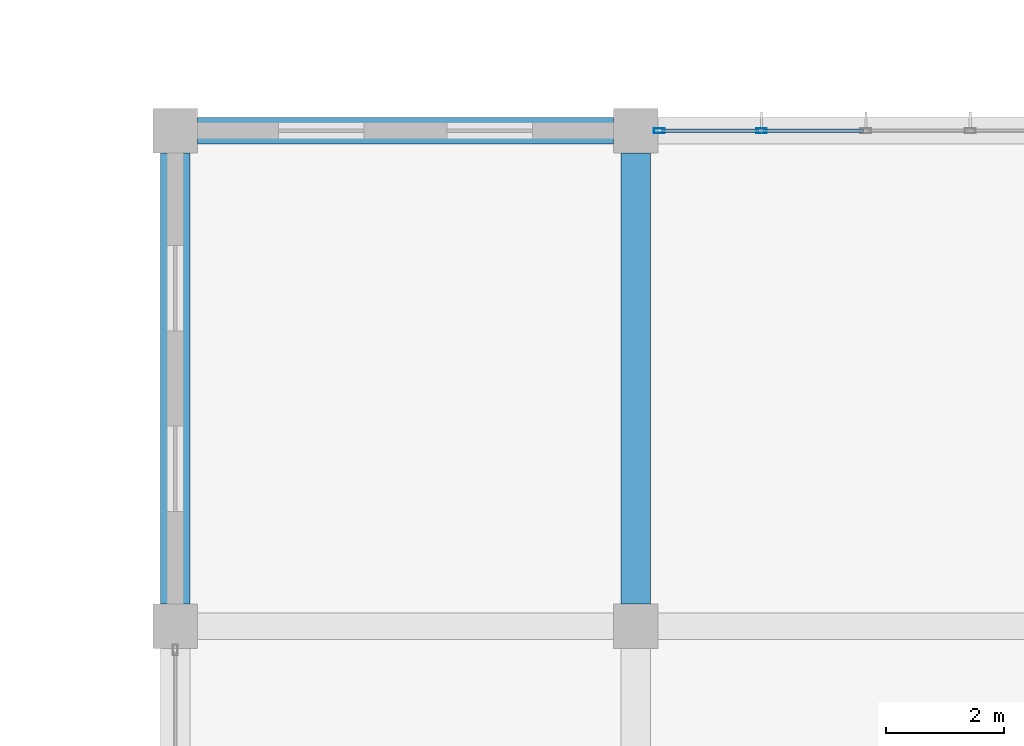
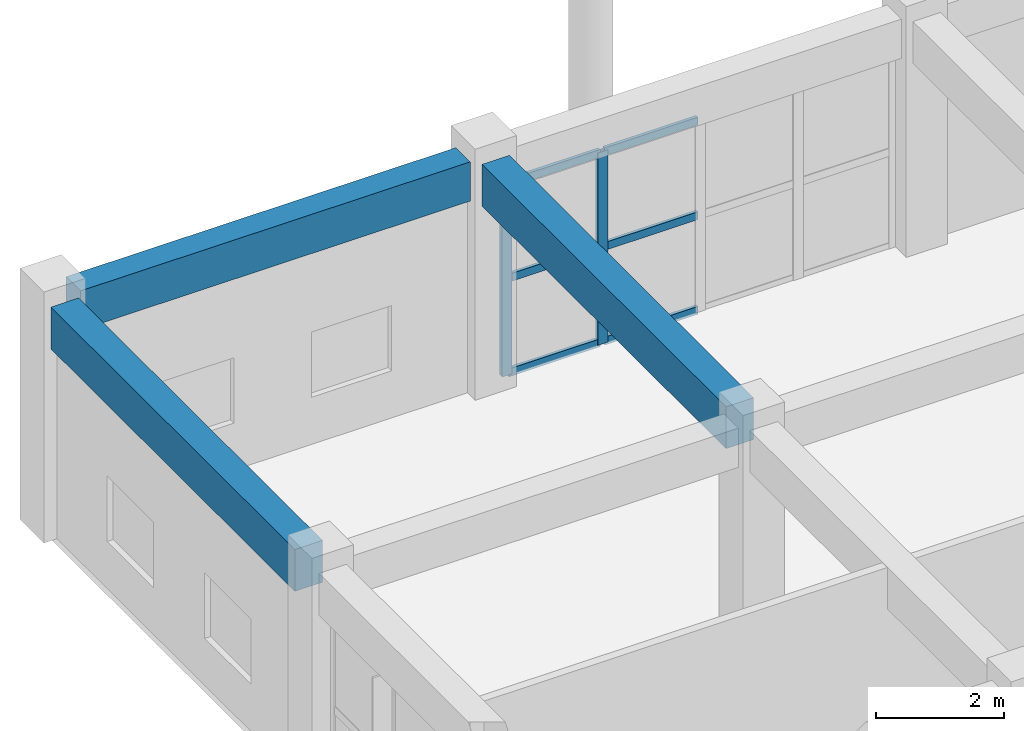
# One storey, part 122 of 175: 8 members, 3 beams, 1 element without a shape of its own.
"""IFC4 building model written with IfcOpenShell, lengths in metres."""

import ifcopenshell
import ifcopenshell.guid

model = None  # the IFC model being written
_history = None  # IfcOwnerHistory: only IFC2X3 demands one
_inside = {}  # id of a spatial element -> (the spatial element, [elements in it])
_under = {}  # id of a project, library or spatial element -> (it, [spatial elements below it])
_declared = {}  # id of a project -> (the project, [libraries it declares])
_typed = {}  # id of a type object -> (the type object, [elements of that type])
_made_of = {}  # id of a material, layer set ... -> (it, [elements and type objects made of it])


def new_model(schema):
    """Start an empty IFC model of exactly this schema.

    Asked for "IFC4X3", IfcOpenShell would pick the latest addendum, in which some entities
    have other attributes; the version numbers below select the first issue.
    IFC2X3 requires an IfcOwnerHistory on every rooted entity: one is made here for all.
    """
    global model, _history
    if schema == "IFC4X3":
        model = ifcopenshell.file(schema_version=(4, 3, 0, 0))
    else:
        model = ifcopenshell.file(schema=schema)
    _inside.clear()
    _under.clear()
    _declared.clear()
    _typed.clear()
    _made_of.clear()
    _history = None
    if model.schema == "IFC2X3":
        org = make("IfcOrganization", Name="unknown")
        user = make(
            "IfcPersonAndOrganization",
            ThePerson=make("IfcPerson", FamilyName="unknown"),
            TheOrganization=org,
        )
        app = make(
            "IfcApplication",
            ApplicationDeveloper=org,
            Version="unknown",
            ApplicationFullName="unknown",
            ApplicationIdentifier="unknown",
        )
        _history = make(
            "IfcOwnerHistory",
            OwningUser=user,
            OwningApplication=app,
            ChangeAction="ADDED",
            CreationDate=0,
        )
    return model


def make(cls, **values):
    """One entity of the class cls with the attributes given. An attribute that is None is left unset."""
    return model.create_entity(
        cls, **{name: value for name, value in values.items() if value is not None}
    )


def rooted(cls, **values):
    """An entity with a GlobalId (a new one), such as an element, a storey or a relation."""
    return make(cls, GlobalId=ifcopenshell.guid.new(), OwnerHistory=_history, **values)


def si_unit(unit_type, name, prefix=None):
    """IfcSIUnit, for example si_unit("LENGTHUNIT", "METRE", prefix="MILLI")."""
    return make("IfcSIUnit", UnitType=unit_type, Prefix=prefix, Name=name)


def assignment(units):
    """IfcUnitAssignment: the units of a project."""
    return None if units is None else make("IfcUnitAssignment", Units=units)


def point(xyz):
    """IfcCartesianPoint."""
    return None if xyz is None else make("IfcCartesianPoint", Coordinates=xyz)


def direction(xyz):
    """IfcDirection."""
    return None if xyz is None else make("IfcDirection", DirectionRatios=xyz)


def frame(location, z_axis=None, x_axis=None):
    """IfcAxis2Placement3D, a coordinate frame: its origin and axes. An axis left out is left unset."""
    return make(
        "IfcAxis2Placement3D",
        Location=point(location),
        Axis=direction(z_axis),
        RefDirection=direction(x_axis),
    )


def frame_2d(location, x_axis=None):
    """IfcAxis2Placement2D, a coordinate frame in the plane: its origin and x axis."""
    return make(
        "IfcAxis2Placement2D", Location=point(location), RefDirection=direction(x_axis)
    )


def origin():
    """The frame at (0, 0, 0) with its axes left unset."""
    return frame((0.0, 0.0, 0.0))


def origin_2d():
    """The frame at (0, 0) in the plane with its x axis left unset."""
    return frame_2d((0.0, 0.0))


def place(relative_to, where):
    """IfcLocalPlacement: puts the frame where relative to a parent placement (None: the world)."""
    return make(
        "IfcLocalPlacement", PlacementRelTo=relative_to, RelativePlacement=where
    )


def context(
    kind, dimensions, precision=None, world=None, true_north=None, identifier=None
):
    """IfcGeometricRepresentationContext, for example the 3D "Model" context."""
    return make(
        "IfcGeometricRepresentationContext",
        ContextIdentifier=identifier,
        ContextType=kind,
        CoordinateSpaceDimension=dimensions,
        Precision=precision,
        WorldCoordinateSystem=world,
        TrueNorth=true_north,
    )


def subcontext(parent, identifier, kind, view, scale=None):
    """IfcGeometricRepresentationSubContext, for example "Body" below "Model"."""
    return make(
        "IfcGeometricRepresentationSubContext",
        ContextIdentifier=identifier,
        ContextType=kind,
        ParentContext=parent,
        TargetScale=scale,
        TargetView=view,
    )


def project(units=None, contexts=None):
    """IfcProject with its units and contexts."""
    return rooted(
        "IfcProject",
        Name="project",
        RepresentationContexts=contexts,
        UnitsInContext=assignment(units),
    )


def spatial(cls, under=None, at=None, **own):
    """A site, building, storey or space (cls), placed at a placement, below another one or the project."""
    s = rooted(cls, ObjectPlacement=at, **own)
    if under is not None:
        _under.setdefault(under.id(), (under, []))[1].append(s)
    return s


def profile(cls, at=None, kind="AREA", **sizes):
    """A parametric profile (cls). Its sizes go by their IFC names, for example OverallWidth=200.0."""
    return make(cls, ProfileType=kind, Position=at, **sizes)


def rectangle(**sizes):
    """IfcRectangleProfileDef."""
    return profile("IfcRectangleProfileDef", **sizes)


def hollow_rectangle(**sizes):
    """IfcRectangleHollowProfileDef."""
    return profile("IfcRectangleHollowProfileDef", **sizes)


def extrude(swept, where, along, depth):
    """IfcExtrudedAreaSolid: the profile swept, set in the frame where, extruded along a direction by depth."""
    return make(
        "IfcExtrudedAreaSolid",
        SweptArea=swept,
        Position=where,
        ExtrudedDirection=direction(along),
        Depth=depth,
    )


def shape(context_of_items, identifier, shape_type, items):
    """IfcShapeRepresentation: the items that make up one representation, for example the "Body"."""
    return make(
        "IfcShapeRepresentation",
        ContextOfItems=context_of_items,
        RepresentationIdentifier=identifier,
        RepresentationType=shape_type,
        Items=items,
    )


def material(Name=None, Category=None):
    """IfcMaterial."""
    return make("IfcMaterial", Name=Name, Category=Category)


def layer(
    of_material, thickness, ventilated=None, Name=None, Category=None, Priority=None
):
    """IfcMaterialLayer: one layer of a wall or slab, of a material (None: an air gap)."""
    return make(
        "IfcMaterialLayer",
        Material=of_material,
        LayerThickness=thickness,
        IsVentilated=ventilated,
        Name=Name,
        Category=Category,
        Priority=Priority,
    )


def layer_set(layers, Name=None):
    """IfcMaterialLayerSet."""
    return make("IfcMaterialLayerSet", MaterialLayers=layers, LayerSetName=Name)


def material_profile(
    of_material, cross_section, Name=None, Category=None, Priority=None
):
    """IfcMaterialProfile: a cross section and its material."""
    return make(
        "IfcMaterialProfile",
        Name=Name,
        Material=of_material,
        Profile=cross_section,
        Priority=Priority,
        Category=Category,
    )


def profile_set(profiles, Name=None, composite=None):
    """IfcMaterialProfileSet."""
    return make(
        "IfcMaterialProfileSet",
        Name=Name,
        MaterialProfiles=profiles,
        CompositeProfile=composite,
    )


def made_of(thing, what):
    """Note that an element or type object is made of a material, layer set ...; save() writes the relation."""
    if what is not None:
        _made_of.setdefault(what.id(), (what, []))[1].append(thing)
    return thing


def type_object(cls, material=None, **own):
    """A type object (cls), such as IfcWallType, which elements share."""
    return made_of(rooted(cls, **own), material)


def element(
    cls,
    number,
    at=None,
    inside=None,
    cuts=None,
    type_object=None,
    material=None,
    context=None,
    identifier="Body",
    shape_type=None,
    held_by="IfcProductDefinitionShape",
    body=None,
    shapes=None,
    **own,
):
    """One element of the class cls, such as IfcWall. Its Tag is "e" and its number.

    at: its placement. inside: the storey or other place that contains it. cuts: it is an
    opening in that element (IfcRelVoidsElement). A single representation is given by context,
    identifier, shape_type and body (its items); several are given by shapes. held_by: the class
    of the entity that holds the representations. save() writes the other relations.
    """
    e = rooted(cls, Tag="e%d" % number, ObjectPlacement=at, **own)
    if body is not None:
        shapes = [shape(context, identifier, shape_type, body)]
    if shapes is not None:
        e.Representation = make(held_by, Representations=shapes)
    if inside is not None:
        _inside.setdefault(inside.id(), (inside, []))[1].append(e)
    if cuts is not None:
        rooted(
            "IfcRelVoidsElement", RelatingBuildingElement=cuts, RelatedOpeningElement=e
        )
    if type_object is not None:
        _typed.setdefault(type_object.id(), (type_object, []))[1].append(e)
    return made_of(e, material)


def aggregate(whole, parts):
    """IfcRelAggregates: a whole, such as a stair, and the parts it consists of."""
    return rooted("IfcRelAggregates", RelatingObject=whole, RelatedObjects=parts)


def save(model, path):
    """Write the relations noted so far, then the file.

    IfcRelAggregates (storeys below a building ...), IfcRelContainedInSpatialStructure (elements
    in a storey), IfcRelDefinesByType, IfcRelAssociatesMaterial and IfcRelDeclares: one each for
    every whole, place, type object, material and project.
    """
    for whole, parts in _under.values():
        aggregate(whole, parts)
    for where, things in _inside.values():
        rooted(
            "IfcRelContainedInSpatialStructure",
            RelatedElements=things,
            RelatingStructure=where,
        )
    for kind, things in _typed.values():
        rooted("IfcRelDefinesByType", RelatedObjects=things, RelatingType=kind)
    for what, things in _made_of.values():
        rooted("IfcRelAssociatesMaterial", RelatedObjects=things, RelatingMaterial=what)
    for by, libraries in _declared.values():
        rooted("IfcRelDeclares", RelatingContext=by, RelatedDefinitions=libraries)
    model.write(path)


model = new_model("IFC4")

# Units and contexts
model_context = context("Model", 3, precision=1e-05, world=origin(), true_north=direction((0.0, 1.0)))
body_context = subcontext(model_context, "Body", "Model", "MODEL_VIEW")
ifc_project = project(units=[si_unit("LENGTHUNIT", "METRE"), si_unit("AREAUNIT", "SQUARE_METRE"), si_unit("VOLUMEUNIT", "CUBIC_METRE"), si_unit("PLANEANGLEUNIT", "RADIAN"), si_unit("MASSUNIT", "GRAM", prefix="KILO")], contexts=[model_context])

# Site, building, storey
site_placement = place(None, origin())
site = spatial("IfcSite", under=ifc_project, at=site_placement, CompositionType="ELEMENT")
building_placement = place(site_placement, origin())
building = spatial("IfcBuilding", under=site, at=building_placement, Name="Zizhar Promenade General Hospital", CompositionType="ELEMENT")
storey_placement = place(building_placement, frame((0.0, 0.0, 4.800048828125)))
storey = spatial("IfcBuildingStorey", under=building, at=storey_placement, Name="L01", CompositionType="ELEMENT", Elevation=4.800048828125)

# Beams
ifc_material_1 = material(Name="Concrete C35/45", Category="concrete")
ifc_material_profile_1 = material_profile(ifc_material_1, rectangle(XDim=0.449951171875, YDim=0.75, at=origin_2d()))
ifc_profile_set_1 = profile_set([ifc_material_profile_1], Name="Concrete C35/45")
beam_type_1 = type_object("IfcBeamType", Name="BM-RC-450x750", PredefinedType="BEAM", material=ifc_profile_set_1)
beam_placement = place(storey_placement, frame((47.175048828125, 134.39990234375, 4.094970703125), z_axis=(1.0, 0.0, 0.0), x_axis=(0.0, 1.0, 0.0)))
element("IfcBeam", 1, at=beam_placement, inside=storey, type_object=beam_type_1, Name="Grid Beam X L01 (6-16)", PredefinedType="BEAM", context=body_context, shape_type="SweptSolid", body=[
    extrude(rectangle(XDim=0.449951171875, YDim=0.75, at=origin_2d()), origin(), (0.0, 0.0, 1.0), 7.050048828125),
])
ifc_material_2 = material(Name="Concrete C35/45", Category="concrete")
ifc_material_profile_2 = material_profile(ifc_material_2, rectangle(XDim=0.5, YDim=0.800048828125, at=origin_2d()))
ifc_profile_set_2 = profile_set([ifc_material_profile_2], Name="Concrete C35/45")
beam_type_2 = type_object("IfcBeamType", Name="BM-RC-500x800", PredefinedType="BEAM", material=ifc_profile_set_2)
for number, where, z_axis, x_axis, name in (
    (2, (46.800048828125, 126.375, 4.070068359375), (0.0, 1.0, 0.0), (-1.0, 0.0, 0.0), "Grid Beam Y L01 (6-15)"),
    (3, (54.60009765625, 126.375, 4.070068359375), (0.0, 1.0, 0.0), (-1.0, 0.0, 0.0), "Grid Beam Y L01 (7-15)"),
):
    element("IfcBeam", number, at=place(storey_placement, frame(where, z_axis=z_axis, x_axis=x_axis)), inside=storey, type_object=beam_type_2, Name=name, PredefinedType="BEAM", context=body_context, shape_type="SweptSolid", body=[
        extrude(rectangle(XDim=0.5, YDim=0.800048828125, at=origin_2d()), origin(), (0.0, 0.0, 1.0), 7.64990234375),
    ])

# Curtain wall, members
ifc_material_3 = material(Name="Anodised aluminium 6063-T6 and low-E glass", Category="aluminium")
ifc_layer = layer(ifc_material_3, 0.159912109375)
ifc_layer_set = layer_set([ifc_layer], Name="Anodised aluminium 6063-T6 and low-E glass")
curtain_wall_type = type_object("IfcCurtainWallType", Name="CW-DT-MOD2", PredefinedType="NOTDEFINED", material=ifc_layer_set)
curtain_wall_placement = place(storey_placement, origin())
curtain_wall = element("IfcCurtainWall", 4, at=curtain_wall_placement, inside=storey, type_object=curtain_wall_type, Name="Surgical North Glazed Curtain Wall L01-7", PredefinedType="NOTDEFINED")
ifc_material_4 = material(Name="Anodised aluminium 6063-T6", Category="aluminium")
ifc_material_profile_3 = material_profile(ifc_material_4, hollow_rectangle(XDim=0.080078125, YDim=0.179931640625, WallThickness=0.0048828125, at=origin_2d()))
ifc_profile_set_3 = profile_set([ifc_material_profile_3], Name="Anodised aluminium 6063-T6")
member_type_1 = type_object("IfcMemberType", Name="CWM-ALU-180x80", PredefinedType="MULLION", material=ifc_profile_set_3)
member_1_placement = place(storey_placement, frame((55.0, 134.39990234375, 0.0), z_axis=(0.0, 0.0, 1.0), x_axis=(0.0, 1.0, 0.0)))
member_1 = element("IfcMember", 5, at=member_1_placement, type_object=member_type_1, Name="CW-08 mullion 1", PredefinedType="MULLION", context=body_context, shape_type="SweptSolid", body=[
    extrude(hollow_rectangle(XDim=0.080078125, YDim=0.179931640625, WallThickness=0.0048828125, at=origin_2d()), origin(), (0.0, 0.0, 1.0), 3.679931640625),
])
member_2_placement = place(storey_placement, frame((56.72998046875, 134.39990234375, 0.0), z_axis=(0.0, 0.0, 1.0), x_axis=(0.0, 1.0, 0.0)))
member_2 = element("IfcMember", 6, at=member_2_placement, type_object=member_type_1, Name="CW-08 mullion 2", PredefinedType="MULLION", context=body_context, shape_type="SweptSolid", body=[
    extrude(hollow_rectangle(XDim=0.080078125, YDim=0.179931640625, WallThickness=0.0048828125, at=origin_2d()), origin(), (0.0, 0.0, 1.0), 3.679931640625),
])
ifc_material_5 = material(Name="Anodised aluminium 6063-T6", Category="aluminium")
ifc_material_profile_4 = material_profile(ifc_material_5, hollow_rectangle(XDim=0.06005859375, YDim=0.14990234375, WallThickness=0.00390625, at=origin_2d()))
ifc_profile_set_4 = profile_set([ifc_material_profile_4], Name="Anodised aluminium 6063-T6")
member_type_2 = type_object("IfcMemberType", Name="CWT-ALU-150x60", PredefinedType="USERDEFINED", material=ifc_profile_set_4)
member_3_placement = place(storey_placement, frame((55.0400390625, 134.39990234375, 0.030029296875), z_axis=(1.0, 0.0, 0.0), x_axis=(0.0, 1.0, 0.0)))
member_3 = element("IfcMember", 7, at=member_3_placement, type_object=member_type_2, Name="CW-08 transom 1.1", ObjectType="TRANSOM", PredefinedType="USERDEFINED", context=body_context, shape_type="SweptSolid", body=[
    extrude(hollow_rectangle(XDim=0.06005859375, YDim=0.14990234375, WallThickness=0.00390625, at=origin_2d()), origin(), (0.0, 0.0, 1.0), 1.64990234375),
])
member_4_placement = place(storey_placement, frame((55.0400390625, 134.39990234375, 1.83984375), z_axis=(1.0, 0.0, 0.0), x_axis=(0.0, 1.0, 0.0)))
member_4 = element("IfcMember", 8, at=member_4_placement, type_object=member_type_2, Name="CW-08 transom 1.2", ObjectType="TRANSOM", PredefinedType="USERDEFINED", context=body_context, shape_type="SweptSolid", body=[
    extrude(hollow_rectangle(XDim=0.06005859375, YDim=0.14990234375, WallThickness=0.00390625, at=origin_2d()), origin(), (0.0, 0.0, 1.0), 1.64990234375),
])
member_5_placement = place(storey_placement, frame((55.0400390625, 134.39990234375, 3.64990234375), z_axis=(1.0, 0.0, 0.0), x_axis=(0.0, 1.0, 0.0)))
member_5 = element("IfcMember", 9, at=member_5_placement, type_object=member_type_2, Name="CW-08 transom 1.3", ObjectType="TRANSOM", PredefinedType="USERDEFINED", context=body_context, shape_type="SweptSolid", body=[
    extrude(hollow_rectangle(XDim=0.06005859375, YDim=0.14990234375, WallThickness=0.00390625, at=origin_2d()), origin(), (0.0, 0.0, 1.0), 1.64990234375),
])
member_6_placement = place(storey_placement, frame((56.77001953125, 134.39990234375, 0.030029296875), z_axis=(1.0, 0.0, 0.0), x_axis=(0.0, 1.0, 0.0)))
member_6 = element("IfcMember", 10, at=member_6_placement, type_object=member_type_2, Name="CW-08 transom 2.1", ObjectType="TRANSOM", PredefinedType="USERDEFINED", context=body_context, shape_type="SweptSolid", body=[
    extrude(hollow_rectangle(XDim=0.06005859375, YDim=0.14990234375, WallThickness=0.00390625, at=origin_2d()), origin(), (0.0, 0.0, 1.0), 1.68994140625),
])
member_7_placement = place(storey_placement, frame((56.77001953125, 134.39990234375, 1.83984375), z_axis=(1.0, 0.0, 0.0), x_axis=(0.0, 1.0, 0.0)))
member_7 = element("IfcMember", 11, at=member_7_placement, type_object=member_type_2, Name="CW-08 transom 2.2", ObjectType="TRANSOM", PredefinedType="USERDEFINED", context=body_context, shape_type="SweptSolid", body=[
    extrude(hollow_rectangle(XDim=0.06005859375, YDim=0.14990234375, WallThickness=0.00390625, at=origin_2d()), origin(), (0.0, 0.0, 1.0), 1.68994140625),
])
member_8_placement = place(storey_placement, frame((56.77001953125, 134.39990234375, 3.64990234375), z_axis=(1.0, 0.0, 0.0), x_axis=(0.0, 1.0, 0.0)))
member_8 = element("IfcMember", 12, at=member_8_placement, type_object=member_type_2, Name="CW-08 transom 2.3", ObjectType="TRANSOM", PredefinedType="USERDEFINED", context=body_context, shape_type="SweptSolid", body=[
    extrude(hollow_rectangle(XDim=0.06005859375, YDim=0.14990234375, WallThickness=0.00390625, at=origin_2d()), origin(), (0.0, 0.0, 1.0), 1.68994140625),
])
aggregate(curtain_wall, [member_1, member_2, member_3, member_4, member_5, member_6, member_7, member_8])

save(model, "model.ifc")
